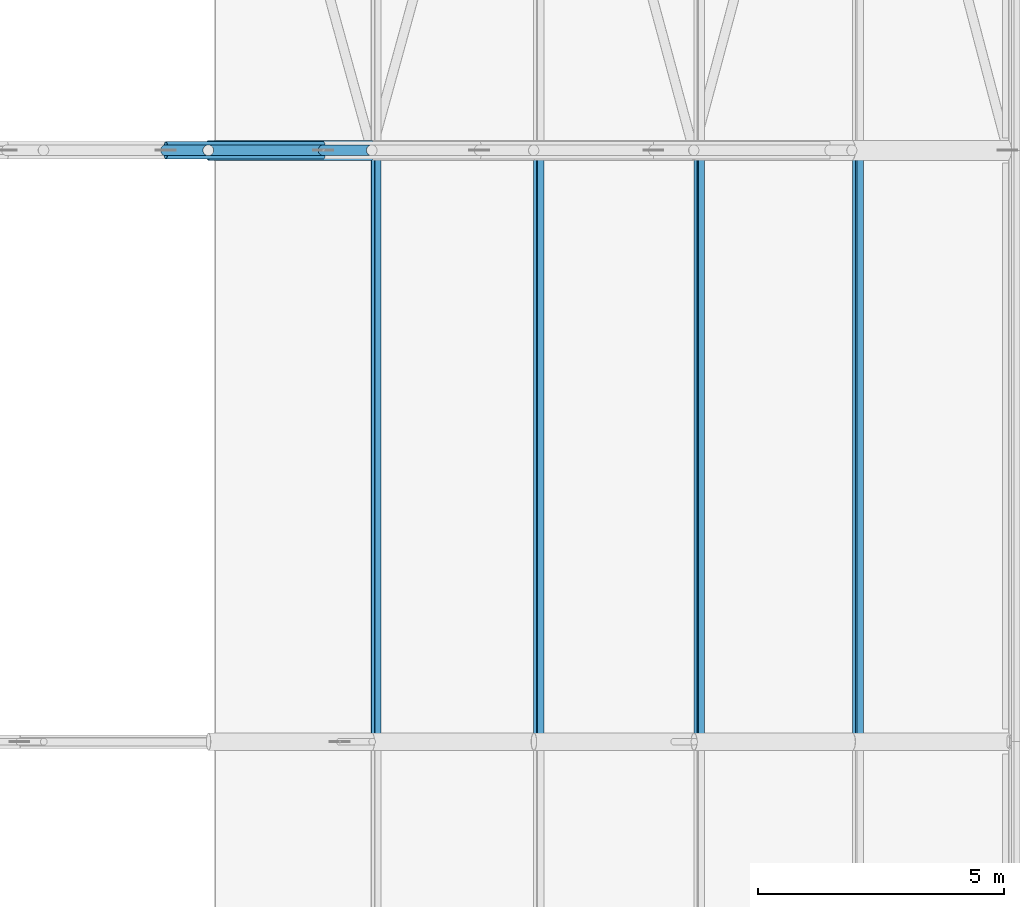
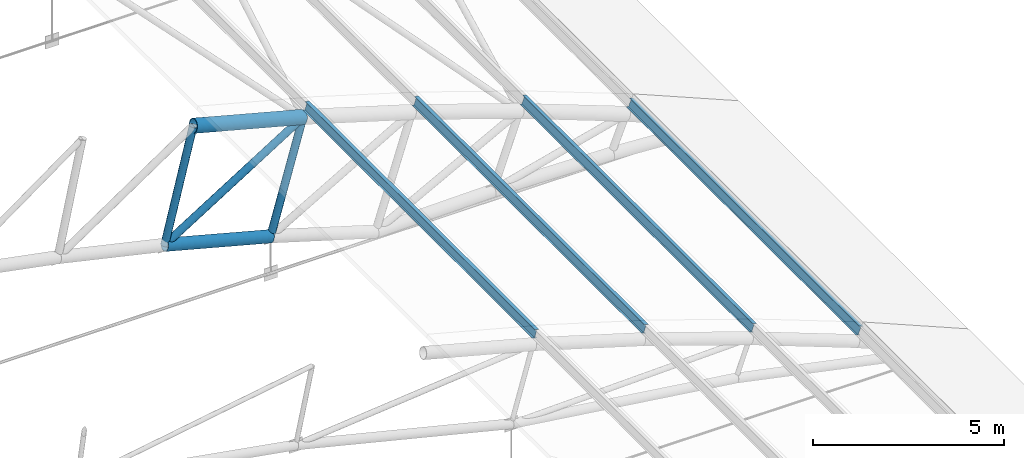
# One storey, part 100 of 321: 9 members.
"""IFC4 building model written with IfcOpenShell, lengths in metres."""

from ifc_helpers import new_model, si_unit, direction, frame, origin, origin_2d, place, context, subcontext, project, spatial, hollow_circle, i_section, extrude, material, material_profile, profile_set, type_object, element, save


model = new_model("IFC4")

# Units and contexts
model_context = context("Model", 3, precision=1e-05, world=origin(), true_north=direction((0.0, 1.0)))
body_context = subcontext(model_context, "Body", "Model", "MODEL_VIEW")
ifc_project = project(units=[si_unit("LENGTHUNIT", "METRE"), si_unit("AREAUNIT", "SQUARE_METRE"), si_unit("VOLUMEUNIT", "CUBIC_METRE"), si_unit("PLANEANGLEUNIT", "RADIAN"), si_unit("MASSUNIT", "GRAM", prefix="KILO")], contexts=[model_context])

# Site, building, storey
site_placement = place(None, origin())
site = spatial("IfcSite", under=ifc_project, at=site_placement, CompositionType="ELEMENT")
building_placement = place(site_placement, origin())
building = spatial("IfcBuilding", under=site, at=building_placement, Name="Ravi Spectrum Wholesale Market", CompositionType="ELEMENT")
storey_placement = place(building_placement, frame((0.0, 0.0, 10.800048828125)))
storey = spatial("IfcBuildingStorey", under=building, at=storey_placement, Name="L02", CompositionType="ELEMENT", Elevation=10.800048828125)

# Members
ifc_material_1 = material(Name="Steel S355", Category="steel")
ifc_material_profile_1 = material_profile(ifc_material_1, hollow_circle(Radius=0.109619140625, WallThickness=0.008056640625, at=origin_2d()))
ifc_profile_set_1 = profile_set([ifc_material_profile_1], Name="Steel S355")
member_type_1 = type_object("IfcMemberType", Name="CHS 219.1x8 brace", PredefinedType="BRACE", material=ifc_profile_set_1)
member_1_placement = place(storey_placement, frame((97.096923828125, 102.0, 4.63671875), z_axis=(-0.847368909482, 0.0, -0.531004643335), x_axis=(0.0, -1.0, 0.0)))
element("IfcMember", 1, at=member_1_placement, inside=storey, type_object=member_type_1, Name="H1-MB-L02-576", PredefinedType="BRACE", context=body_context, shape_type="SweptSolid", body=[
    extrude(hollow_circle(Radius=0.109619140625, WallThickness=0.008056640625, at=origin_2d()), origin(), (0.0, 0.0, 1.0), 4.9296875),
])
ifc_material_2 = material(Name="Steel S355", Category="steel")
ifc_material_profile_2 = material_profile(ifc_material_2, hollow_circle(Radius=0.109619140625, WallThickness=0.008056640625, at=origin_2d()))
ifc_profile_set_2 = profile_set([ifc_material_profile_2], Name="Steel S355")
member_type_2 = type_object("IfcMemberType", Name="CHS 219.1x8 post", PredefinedType="POST", material=ifc_profile_set_2)
for number, where, z_axis, x_axis, name in (
    (2, (93.78076171875, 102.0, 5.514404296875), (-0.239199072456, 0.0, -0.970970547306), (0.0, -1.0, 0.0), "H1-MB-L02-553"),
    (3, (97.096923828125, 102.0, 4.63671875), (-0.272561766134, 0.0, -0.962138287172), (0.0, -1.0, 0.0), "H1-MB-L02-554"),
):
    element("IfcMember", number, at=place(storey_placement, frame(where, z_axis=z_axis, x_axis=x_axis)), inside=storey, type_object=member_type_2, Name=name, PredefinedType="POST", context=body_context, shape_type="SweptSolid", body=[
        extrude(hollow_circle(Radius=0.109619140625, WallThickness=0.008056640625, at=origin_2d()), origin(), (0.0, 0.0, 1.0), 3.599853515625),
    ])
ifc_material_3 = material(Name="Steel S355", Category="steel")
ifc_material_profile_3 = material_profile(ifc_material_3, hollow_circle(Radius=0.177734375, WallThickness=0.012451171875, at=origin_2d()))
ifc_profile_set_3 = profile_set([ifc_material_profile_3], Name="Steel S355")
member_type_3 = type_object("IfcMemberType", Name="CHS 355.6x12.5 chord", PredefinedType="CHORD", material=ifc_profile_set_3)
member_2_placement = place(storey_placement, frame((92.919677734375, 102.0, 2.01904296875), z_axis=(0.966710063159, 0.0, -0.255874292938), x_axis=(0.0, 1.0, 0.0)))
element("IfcMember", 4, at=member_2_placement, inside=storey, type_object=member_type_3, Name="H1-MB-L02-530", PredefinedType="CHORD", context=body_context, shape_type="SweptSolid", body=[
    extrude(hollow_circle(Radius=0.177734375, WallThickness=0.012451171875, at=origin_2d()), origin(), (0.0, 0.0, 1.0), 3.30615234375),
])
ifc_material_4 = material(Name="Steel S355", Category="steel")
ifc_material_profile_4 = material_profile(ifc_material_4, hollow_circle(Radius=0.203125, WallThickness=0.01611328125, at=origin_2d()))
ifc_profile_set_4 = profile_set([ifc_material_profile_4], Name="Steel S355")
member_type_4 = type_object("IfcMemberType", Name="CHS 406.4x16 chord", PredefinedType="CHORD", material=ifc_profile_set_4)
member_3_placement = place(storey_placement, frame((93.78076171875, 102.0, 5.514404296875), z_axis=(0.966714030155, 0.0, -0.255859304896), x_axis=(0.0, 1.0, 0.0)))
element("IfcMember", 5, at=member_3_placement, inside=storey, type_object=member_type_4, Name="H1-MB-L02-506", PredefinedType="CHORD", context=body_context, shape_type="SweptSolid", body=[
    extrude(hollow_circle(Radius=0.203125, WallThickness=0.01611328125, at=origin_2d()), origin(), (0.0, 0.0, 1.0), 3.430419921875),
])
ifc_material_5 = material(Name="Steel S355", Category="steel")
ifc_material_profile_5 = material_profile(ifc_material_5, i_section(OverallWidth=0.135009765625, OverallDepth=0.27001953125, WebThickness=0.006591796875, FlangeThickness=0.01025390625, at=origin_2d()))
ifc_profile_set_5 = profile_set([ifc_material_profile_5], Name="Steel S355")
member_type_5 = type_object("IfcMemberType", Name="IPE 270 purlin", PredefinedType="PURLIN", material=ifc_profile_set_5)
for number, where, z_axis, x_axis, name in (
    (6, (97.18896484375, 90.0, 4.962158203125), (0.0, 1.0, 0.0), (-0.96215600485, 0.0, 0.272499215286), "H1-MB-L02-1379"),
    (7, (100.484130859375, 90.0, 3.96728515625), (0.0, 1.0, 0.0), (-0.952184497174, 0.0, 0.305523621577), "H1-MB-L02-1380"),
    (8, (103.74267578125, 90.0, 2.859375), (0.0, 1.0, 0.0), (-0.941079849597, 0.0, 0.338184441811), "H1-MB-L02-1381"),
    (9, (106.96142578125, 90.0, 1.6396484375), (0.0, 1.0, 0.0), (-0.928855283584, 0.0, 0.370442792017), "H1-MB-L02-1382"),
):
    element("IfcMember", number, at=place(storey_placement, frame(where, z_axis=z_axis, x_axis=x_axis)), inside=storey, type_object=member_type_5, Name=name, PredefinedType="PURLIN", context=body_context, shape_type="SweptSolid", body=[
        extrude(i_section(OverallWidth=0.135009765625, OverallDepth=0.27001953125, WebThickness=0.006591796875, FlangeThickness=0.01025390625, at=origin_2d()), origin(), (0.0, 0.0, 1.0), 12.0),
    ])

save(model, "model.ifc")
